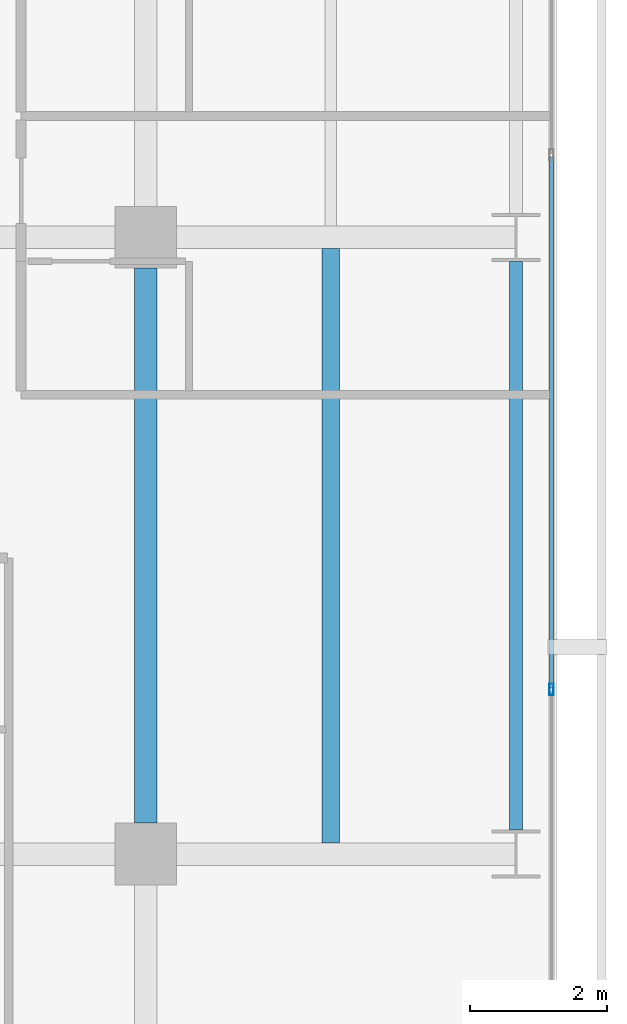
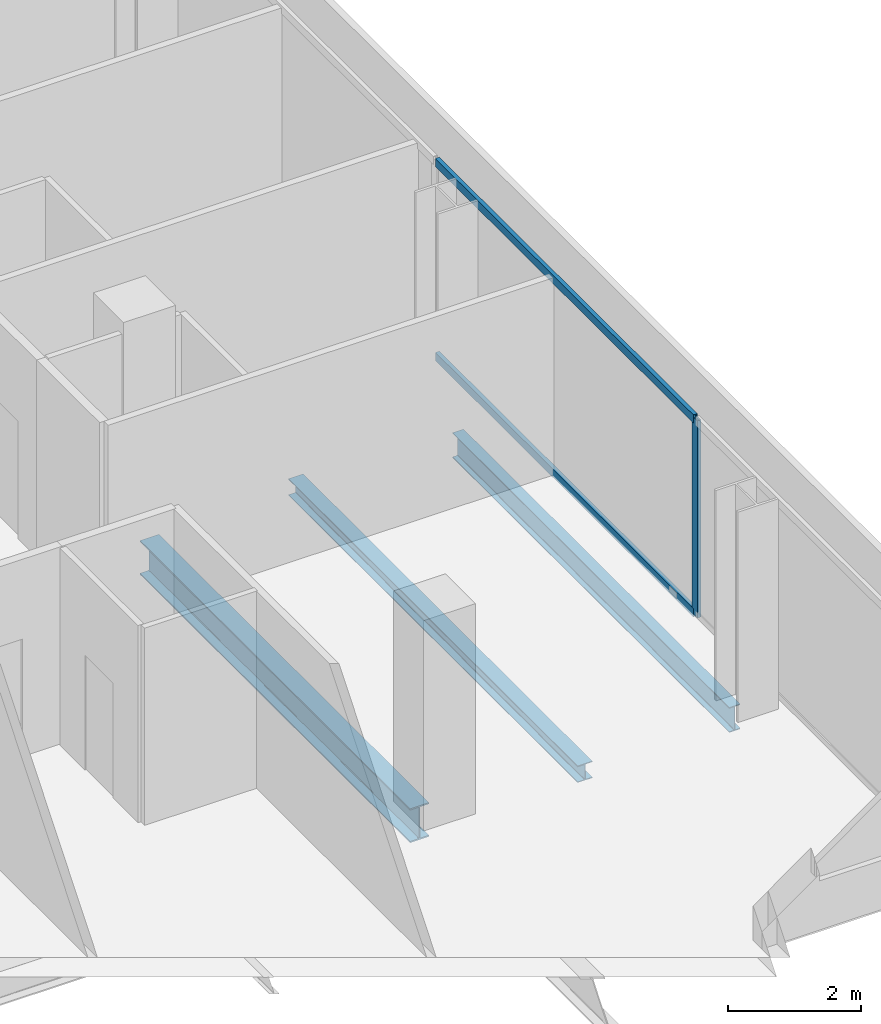
# One storey, part 17 of 40: 3 beams, 3 members, 1 element without a shape of its own.
"""IFC4 building model written with IfcOpenShell, lengths in metres."""

from ifc_helpers import new_model, si_unit, direction, frame, origin, origin_2d, place, context, subcontext, project, spatial, hollow_rectangle, i_section, extrude, material, layer, layer_set, material_profile, profile_set, type_object, element, aggregate, save


model = new_model("IFC4")

# Units and contexts
model_context = context("Model", 3, precision=1e-05, world=origin(), true_north=direction((0.0, 1.0)))
body_context = subcontext(model_context, "Body", "Model", "MODEL_VIEW")
ifc_project = project(units=[si_unit("LENGTHUNIT", "METRE"), si_unit("AREAUNIT", "SQUARE_METRE"), si_unit("VOLUMEUNIT", "CUBIC_METRE"), si_unit("PLANEANGLEUNIT", "RADIAN"), si_unit("MASSUNIT", "GRAM", prefix="KILO")], contexts=[model_context])

# Site, building, storey
site_placement = place(None, origin())
site = spatial("IfcSite", under=ifc_project, at=site_placement, CompositionType="ELEMENT")
building_placement = place(site_placement, origin())
building = spatial("IfcBuilding", under=site, at=building_placement, Name="Maruvema Waterfront Hotel and Observation Tower", CompositionType="ELEMENT")
storey_placement = place(building_placement, frame((0.0, 0.0, 53.89990234375)))
storey = spatial("IfcBuildingStorey", under=building, at=storey_placement, Name="L12", CompositionType="ELEMENT", Elevation=53.89990234375)

# Curtain wall, members
ifc_material_1 = material(Name="Anodised bronze aluminium and solar-control low-E IGU", Category="aluminium")
ifc_layer = layer(ifc_material_1, 0.159912109375, Name="Zone 1 Bronze Inner Thermal Curtain Wall System CW-02")
ifc_layer_set = layer_set([ifc_layer], Name="Anodised bronze aluminium and solar-control low-E IGU")
curtain_wall_type = type_object("IfcCurtainWallType", Name="Zone 1 Bronze Inner Thermal Curtain Wall System CW-02", PredefinedType="USERDEFINED", material=ifc_layer_set)
curtain_wall_placement = place(storey_placement, origin())
curtain_wall = element("IfcCurtainWall", 1, at=curtain_wall_placement, inside=storey, type_object=curtain_wall_type, Name="L12 Curtain Wall CW-L12-E", ObjectType="UNITISED CURTAIN WALL", PredefinedType="USERDEFINED")
ifc_material_2 = material(Name="Anodised architectural bronze aluminium", Category="aluminium")
ifc_material_profile_1 = material_profile(ifc_material_2, hollow_rectangle(XDim=0.070068359375, YDim=0.14990234375, WallThickness=0.00390625, at=origin_2d()), Name="ALU-T70x150")
ifc_profile_set_1 = profile_set([ifc_material_profile_1], Name="Anodised architectural bronze aluminium")
member_type_1 = type_object("IfcMemberType", Name="Curtain Wall Horizontal Transom ALU-T70x150", PredefinedType="USERDEFINED", material=ifc_profile_set_1)
member_1_placement = place(storey_placement, frame((64.719970703125, 11.429931640625, 0.030029296875), z_axis=(0.0, 1.0, 0.0), x_axis=(-1.0, 0.0, 0.0)))
member_1 = element("IfcMember", 2, at=member_1_placement, type_object=member_type_1, Name="CW-02 transom 2.1", ObjectType="TRANSOM", PredefinedType="USERDEFINED", context=body_context, shape_type="SweptSolid", body=[
    extrude(hollow_rectangle(XDim=0.070068359375, YDim=0.14990234375, WallThickness=0.00390625, at=origin_2d()), origin(), (0.0, 0.0, 1.0), 7.739990234375),
])
member_2_placement = place(storey_placement, frame((64.719970703125, 11.429931640625, 3.580078125), z_axis=(0.0, 1.0, 0.0), x_axis=(-1.0, 0.0, 0.0)))
member_2 = element("IfcMember", 3, at=member_2_placement, type_object=member_type_1, Name="CW-02 transom 2.2", ObjectType="TRANSOM", PredefinedType="USERDEFINED", context=body_context, shape_type="SweptSolid", body=[
    extrude(hollow_rectangle(XDim=0.070068359375, YDim=0.14990234375, WallThickness=0.00390625, at=origin_2d()), origin(), (0.0, 0.0, 1.0), 7.739990234375),
])
ifc_material_3 = material(Name="Anodised architectural bronze aluminium", Category="aluminium")
ifc_material_profile_2 = material_profile(ifc_material_3, hollow_rectangle(XDim=0.06494140625, YDim=0.1650390625, WallThickness=0.00390625, at=origin_2d()), Name="ALU-M65x165")
ifc_profile_set_2 = profile_set([ifc_material_profile_2], Name="Anodised architectural bronze aluminium")
member_type_2 = type_object("IfcMemberType", Name="Curtain Wall Primary Mullion ALU-M65x165", PredefinedType="MULLION", material=ifc_profile_set_2)
member_3_placement = place(storey_placement, frame((64.719970703125, 11.39990234375, 0.0), z_axis=(0.0, 0.0, 1.0), x_axis=(-1.0, 0.0, 0.0)))
member_3 = element("IfcMember", 4, at=member_3_placement, type_object=member_type_2, Name="CW-02 mullion 2", PredefinedType="MULLION", context=body_context, shape_type="SweptSolid", body=[
    extrude(hollow_rectangle(XDim=0.06494140625, YDim=0.1650390625, WallThickness=0.00390625, at=origin_2d()), origin(), (0.0, 0.0, 1.0), 3.610107421875),
])
aggregate(curtain_wall, [member_3, member_1, member_2])

# Beams
ifc_material_4 = material(Name="Steel ASTM A572 Grade 50", Category="steel")
ifc_material_profile_3 = material_profile(ifc_material_4, i_section(OverallWidth=0.18994140625, OverallDepth=0.45703125, WebThickness=0.009033203125, FlangeThickness=0.014404296875, FilletRadius=0.014892578125, at=origin_2d()), Name="W460x74.0")
ifc_profile_set_3 = profile_set([ifc_material_profile_3], Name="Steel ASTM A572 Grade 50")
beam_type_1 = type_object("IfcBeamType", Name="Perimeter Spandrel Beam W460x74.0", PredefinedType="SPANDREL", material=ifc_profile_set_3)
beam_1_placement = place(storey_placement, frame((64.199951171875, 9.35009765625, -0.468505859375), z_axis=(0.0, 1.0, 0.0), x_axis=(-1.0, 0.0, 0.0)))
element("IfcBeam", 5, at=beam_1_placement, inside=storey, type_object=beam_type_1, Name="L12 Floor Girder NS-33", PredefinedType="SPANDREL", context=body_context, shape_type="SweptSolid", body=[
    extrude(i_section(OverallWidth=0.18994140625, OverallDepth=0.45703125, WebThickness=0.009033203125, FlangeThickness=0.014404296875, FilletRadius=0.014892578125, at=origin_2d()), origin(), (0.0, 0.0, 1.0), 8.2998046875),
])
ifc_material_5 = material(Name="Steel ASTM A572 Grade 50", Category="steel")
ifc_material_profile_4 = material_profile(ifc_material_5, i_section(OverallWidth=0.326904296875, OverallDepth=0.6220703125, WebThickness=0.015380859375, FlangeThickness=0.0244140625, FilletRadius=0.01806640625, at=origin_2d()), Name="W610x195.0")
ifc_profile_set_4 = profile_set([ifc_material_profile_4], Name="Steel ASTM A572 Grade 50")
beam_type_2 = type_object("IfcBeamType", Name="Primary Floor Girder W610x195.0", PredefinedType="BEAM", material=ifc_profile_set_4)
beam_2_placement = place(storey_placement, frame((58.800048828125, 9.449951171875, -0.55078125), z_axis=(0.0, 1.0, 0.0), x_axis=(-1.0, 0.0, 0.0)))
element("IfcBeam", 6, at=beam_2_placement, inside=storey, type_object=beam_type_2, Name="L12 Floor Girder NS-28", PredefinedType="BEAM", context=body_context, shape_type="SweptSolid", body=[
    extrude(i_section(OverallWidth=0.326904296875, OverallDepth=0.6220703125, WebThickness=0.015380859375, FlangeThickness=0.0244140625, FilletRadius=0.01806640625, at=origin_2d()), origin(), (0.0, 0.0, 1.0), 8.10009765625),
])
ifc_material_6 = material(Name="Steel ASTM A572 Grade 50", Category="steel")
ifc_material_profile_5 = material_profile(ifc_material_6, i_section(OverallWidth=0.25390625, OverallDepth=0.305908203125, WebThickness=0.0087890625, FlangeThickness=0.0146484375, FilletRadius=0.014892578125, at=origin_2d()), Name="W310x79.0")
ifc_profile_set_5 = profile_set([ifc_material_profile_5], Name="Steel ASTM A572 Grade 50")
beam_type_3 = type_object("IfcBeamType", Name="Secondary Floor Joist W310x79.0", PredefinedType="JOIST", material=ifc_profile_set_5)
beam_3_placement = place(storey_placement, frame((61.5, 9.16357421875, -0.392822265625), z_axis=(0.0, 1.0, 0.0), x_axis=(-1.0, 0.0, 0.0)))
element("IfcBeam", 7, at=beam_3_placement, inside=storey, type_object=beam_type_3, Name="L12 Secondary Floor Joist JS-21", PredefinedType="JOIST", context=body_context, shape_type="SweptSolid", body=[
    extrude(i_section(OverallWidth=0.25390625, OverallDepth=0.305908203125, WebThickness=0.0087890625, FlangeThickness=0.0146484375, FilletRadius=0.014892578125, at=origin_2d()), origin(), (0.0, 0.0, 1.0), 8.6728515625),
])

save(model, "model.ifc")
